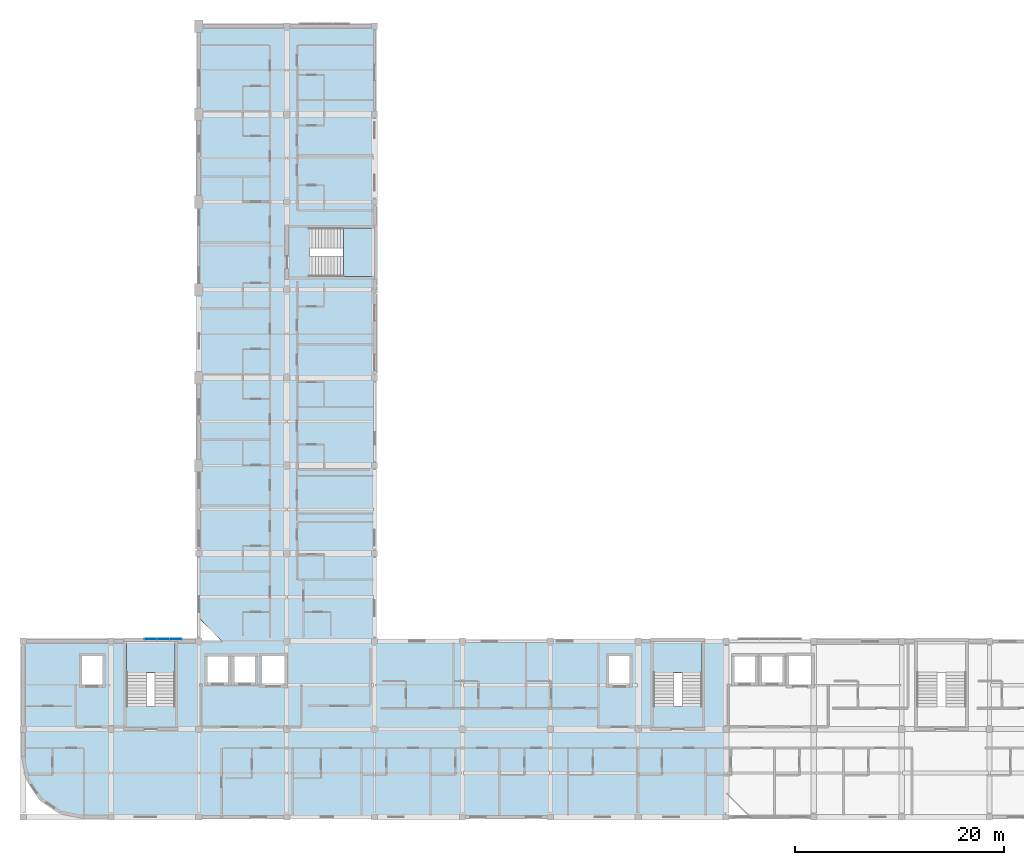
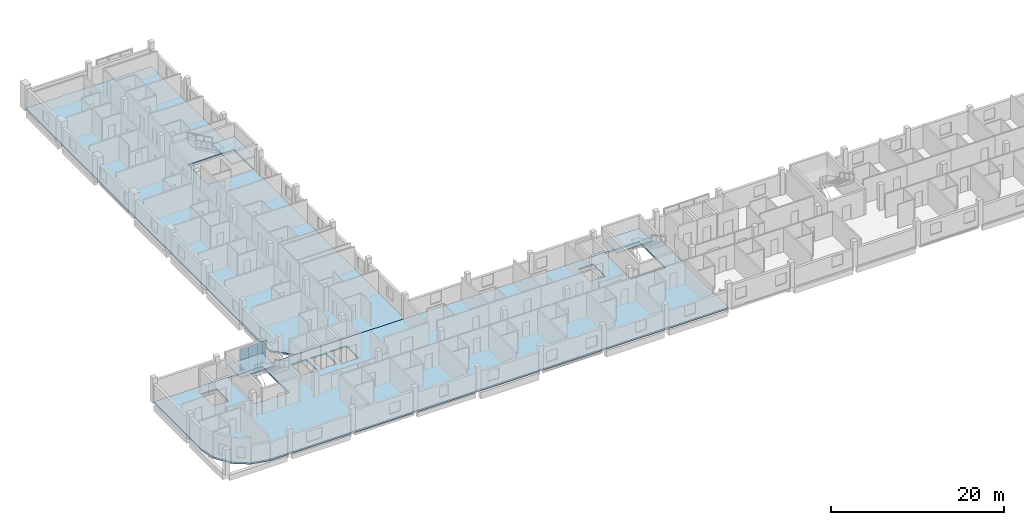
# One storey, part 8 of 25: 6 plates, 5 slabs, 4 elements without a shape of their own.
"""IFC4 building model written with IfcOpenShell, lengths in metres."""

from ifc_helpers import new_model, si_unit, derived_unit, direction, frame, origin, origin_2d, place, context, subcontext, project, spatial, polyline, rectangle, outline, extrude, material, layer, layer_set, type_object, element, aggregate, save


model = new_model("IFC4")

# Units and contexts
model_context = context("Model", 3, precision=1e-05, world=origin(), true_north=direction((0.0, 1.0)))
body_context = subcontext(model_context, "Body", "Model", "MODEL_VIEW")
ifc_project = project(units=[si_unit("LENGTHUNIT", "METRE"), si_unit("AREAUNIT", "SQUARE_METRE"), si_unit("VOLUMEUNIT", "CUBIC_METRE"), si_unit("PLANEANGLEUNIT", "RADIAN"), si_unit("MASSUNIT", "GRAM", prefix="KILO"), derived_unit("THERMALTRANSMITTANCEUNIT", [(si_unit("POWERUNIT", "WATT"), 1), (si_unit("LENGTHUNIT", "METRE"), -2), (si_unit("THERMODYNAMICTEMPERATUREUNIT", "KELVIN"), -1)])], contexts=[model_context])

# Site, building, storey
site_placement = place(None, origin())
site = spatial("IfcSite", under=ifc_project, at=site_placement, CompositionType="ELEMENT")
building_placement = place(site_placement, origin())
building = spatial("IfcBuilding", under=site, at=building_placement, Name="Barrovel Congress Hotel", CompositionType="ELEMENT")
storey_placement = place(building_placement, frame((0.0, 0.0, 25.5)))
storey = spatial("IfcBuildingStorey", under=building, at=storey_placement, Name="L06", CompositionType="ELEMENT", Elevation=25.5)

# Curtain wall, plates
ifc_material_1 = material(Name="Anodised Aluminium Alloy 6063-T6", Category="aluminium")
curtain_wall_type = type_object("IfcCurtainWallType", Name="CW-UN-3600x3200", PredefinedType="USERDEFINED", material=ifc_material_1)
curtain_wall_placement = place(storey_placement, origin())
curtain_wall = element("IfcCurtainWall", 1, at=curtain_wall_placement, inside=storey, type_object=curtain_wall_type, Name="CW:L06:UN-3", ObjectType="UNITISED CURTAIN WALL", PredefinedType="USERDEFINED")
ifc_material_2 = material(Name="Double Low-E Insulated Glazing", Category="glass")
ifc_layer_1 = layer(ifc_material_2, 0.031982421875)
ifc_layer_set_1 = layer_set([ifc_layer_1], Name="Double Low-E Insulated Glazing")
plate_type = type_object("IfcPlateType", Name="CWP-32", PredefinedType="CURTAIN_PANEL", material=ifc_layer_set_1)
plate_1_placement = place(storey_placement, frame((29.0, 21.219970703125, 0.030029296875), z_axis=(0.0, 0.0, 1.0), x_axis=(1.0, 0.0, 0.0)))
plate_1 = element("IfcPlate", 2, at=plate_1_placement, type_object=plate_type, Name="CW:L06:UN-3:P0-0", PredefinedType="CURTAIN_PANEL", context=body_context, shape_type="SweptSolid", body=[
    extrude(rectangle(XDim=1.139892578125, YDim=0.031982421875, at=origin_2d()), origin(), (0.0, 0.0, 1.0), 1.56494140625),
])
plate_2_placement = place(storey_placement, frame((29.0, 21.219970703125, 1.655029296875), z_axis=(0.0, 0.0, 1.0), x_axis=(1.0, 0.0, 0.0)))
plate_2 = element("IfcPlate", 3, at=plate_2_placement, type_object=plate_type, Name="CW:L06:UN-3:P0-1", PredefinedType="CURTAIN_PANEL", context=body_context, shape_type="SweptSolid", body=[
    extrude(rectangle(XDim=1.139892578125, YDim=0.031982421875, at=origin_2d()), origin(), (0.0, 0.0, 1.0), 1.56494140625),
])
plate_3_placement = place(storey_placement, frame((30.199951171875, 21.219970703125, 0.030029296875), z_axis=(0.0, 0.0, 1.0), x_axis=(1.0, 0.0, 0.0)))
plate_3 = element("IfcPlate", 4, at=plate_3_placement, type_object=plate_type, Name="CW:L06:UN-3:P1-0", PredefinedType="CURTAIN_PANEL", context=body_context, shape_type="SweptSolid", body=[
    extrude(rectangle(XDim=1.139892578125, YDim=0.031982421875, at=origin_2d()), origin(), (0.0, 0.0, 1.0), 1.56494140625),
])
plate_4_placement = place(storey_placement, frame((30.199951171875, 21.219970703125, 1.655029296875), z_axis=(0.0, 0.0, 1.0), x_axis=(1.0, 0.0, 0.0)))
plate_4 = element("IfcPlate", 5, at=plate_4_placement, type_object=plate_type, Name="CW:L06:UN-3:P1-1", PredefinedType="CURTAIN_PANEL", context=body_context, shape_type="SweptSolid", body=[
    extrude(rectangle(XDim=1.139892578125, YDim=0.031982421875, at=origin_2d()), origin(), (0.0, 0.0, 1.0), 1.56494140625),
])
plate_5_placement = place(storey_placement, frame((31.39990234375, 21.219970703125, 0.030029296875), z_axis=(0.0, 0.0, 1.0), x_axis=(1.0, 0.0, 0.0)))
plate_5 = element("IfcPlate", 6, at=plate_5_placement, type_object=plate_type, Name="CW:L06:UN-3:P2-0", PredefinedType="CURTAIN_PANEL", context=body_context, shape_type="SweptSolid", body=[
    extrude(rectangle(XDim=1.139892578125, YDim=0.031982421875, at=origin_2d()), origin(), (0.0, 0.0, 1.0), 1.56494140625),
])
plate_6_placement = place(storey_placement, frame((31.39990234375, 21.219970703125, 1.655029296875), z_axis=(0.0, 0.0, 1.0), x_axis=(1.0, 0.0, 0.0)))
plate_6 = element("IfcPlate", 7, at=plate_6_placement, type_object=plate_type, Name="CW:L06:UN-3:P2-1", PredefinedType="CURTAIN_PANEL", context=body_context, shape_type="SweptSolid", body=[
    extrude(rectangle(XDim=1.139892578125, YDim=0.031982421875, at=origin_2d()), origin(), (0.0, 0.0, 1.0), 1.56494140625),
])
aggregate(curtain_wall, [plate_1, plate_2, plate_3, plate_4, plate_5, plate_6])

# Slabs
ifc_material_3 = material(Name="Concrete C35", Category="concrete")
ifc_layer_2 = layer(ifc_material_3, 0.219970703125)
ifc_layer_set_2 = layer_set([ifc_layer_2], Name="Concrete C35")
slab_type_1 = type_object("IfcSlabType", Name="SL-F220", PredefinedType="FLOOR", material=ifc_layer_set_2)
slab_1_placement = place(storey_placement, frame((0.0, 0.0, -0.219970703125)))
element("IfcSlab", 8, at=slab_1_placement, inside=storey, type_object=slab_type_1, Name="SLAB:L06:HOT-S1", PredefinedType="FLOOR", context=body_context, shape_type="SweptSolid", body=[
    extrude(outline(polyline([(16.800048828125, 10.0), (17.241455078125, 7.780517578125), (18.498779296875, 5.898681640625), (20.38037109375, 4.6416015625), (22.60009765625, 4.199951171875), (84.0, 4.199951171875), (84.0, 21.0), (16.800048828125, 21.0), (16.800048828125, 10.0)]), holes=[polyline([(26.699951171875, 14.780029296875), (26.699951171875, 20.919921875), (31.300048828125, 20.919921875), (31.300048828125, 14.780029296875), (26.699951171875, 14.780029296875)]), polyline([(77.10009765625, 14.780029296875), (77.10009765625, 20.919921875), (81.699951171875, 20.919921875), (81.699951171875, 14.780029296875), (77.10009765625, 14.780029296875)]), polyline([(22.39990234375, 16.800048828125), (22.39990234375, 19.60009765625), (24.39990234375, 19.60009765625), (24.39990234375, 16.800048828125), (22.39990234375, 16.800048828125)]), polyline([(72.800048828125, 16.800048828125), (72.800048828125, 19.60009765625), (74.800048828125, 19.60009765625), (74.800048828125, 16.800048828125), (72.800048828125, 16.800048828125)]), polyline([(34.39990234375, 17.050048828125), (34.39990234375, 19.550048828125), (36.39990234375, 19.550048828125), (36.39990234375, 17.050048828125), (34.39990234375, 17.050048828125)]), polyline([(37.0, 17.050048828125), (37.0, 19.550048828125), (39.0, 19.550048828125), (39.0, 17.050048828125), (37.0, 17.050048828125)]), polyline([(39.60009765625, 16.800048828125), (39.60009765625, 19.60009765625), (41.800048828125, 19.60009765625), (41.800048828125, 16.800048828125), (39.60009765625, 16.800048828125)])]), origin(), (0.0, 0.0, 1.0), 0.219970703125),
])
slab_2_placement = place(storey_placement, frame((0.0, 0.0, -0.219970703125)))
element("IfcSlab", 9, at=slab_2_placement, inside=storey, type_object=slab_type_1, Name="SLAB:L06:HOT-W1", PredefinedType="FLOOR", context=body_context, shape_type="SweptSolid", body=[
    extrude(outline(polyline([(35.800048828125, 21.0), (50.39990234375, 21.0), (50.39990234375, 79.800048828125), (33.60009765625, 79.800048828125), (33.60009765625, 23.199951171875), (35.800048828125, 21.0)]), holes=[polyline([(44.179931640625, 55.89990234375), (44.179931640625, 60.5), (50.320068359375, 60.5), (50.320068359375, 55.89990234375), (44.179931640625, 55.89990234375)])]), origin(), (0.0, 0.0, 1.0), 0.219970703125),
])

# Stair, slab
ifc_material_4 = material(Name="Concrete C40", Category="concrete")
stair_type_1 = type_object("IfcStairType", Name="STR-HT-360", PredefinedType="HALF_TURN_STAIR", material=ifc_material_4)
stair_1_placement = place(storey_placement, origin())
stair_1 = element("IfcStair", 10, at=stair_1_placement, inside=storey, type_object=stair_type_1, Name="Exit Stair XS-01 (L06)", PredefinedType="HALF_TURN_STAIR")
ifc_layer_3 = layer(ifc_material_4, 0.18994140625)
ifc_layer_set_3 = layer_set([ifc_layer_3], Name="Concrete C40")
slab_type_2 = type_object("IfcSlabType", Name="SL-LDG-190", PredefinedType="LANDING", material=ifc_layer_set_3)
slab_3_placement = place(storey_placement, frame((0.0, 0.0, 1.610107421875)))
slab_3 = element("IfcSlab", 11, at=slab_3_placement, type_object=slab_type_2, Name="STAIR:XS-01:L06:LDG", PredefinedType="LANDING", context=body_context, shape_type="SweptSolid", body=[
    extrude(outline(polyline([(26.679931640625, 18.010009765625), (31.320068359375, 18.010009765625), (31.320068359375, 21.02001953125), (26.679931640625, 21.02001953125), (26.679931640625, 18.010009765625)])), origin(), (0.0, 0.0, 1.0), 0.18994140625),
])
aggregate(stair_1, [slab_3])

stair_2_placement = place(storey_placement, origin())
stair_2 = element("IfcStair", 12, at=stair_2_placement, inside=storey, type_object=stair_type_1, Name="Exit Stair XS-02 (L06)", PredefinedType="HALF_TURN_STAIR")
ifc_layer_4 = layer(ifc_material_4, 0.2099609375)
ifc_layer_set_4 = layer_set([ifc_layer_4], Name="Concrete C40")
slab_type_3 = type_object("IfcSlabType", Name="SL-LDG-210", PredefinedType="LANDING", material=ifc_layer_set_4)
slab_4_placement = place(storey_placement, frame((0.0, 0.0, 1.590087890625)))
slab_4 = element("IfcSlab", 13, at=slab_4_placement, type_object=slab_type_3, Name="STAIR:XS-02:L06:LDG", PredefinedType="LANDING", context=body_context, shape_type="SweptSolid", body=[
    extrude(outline(polyline([(77.080078125, 18.010009765625), (81.719970703125, 18.010009765625), (81.719970703125, 21.02001953125), (77.080078125, 21.02001953125), (77.080078125, 18.010009765625)])), origin(), (0.0, 0.0, 1.0), 0.2099609375),
])
aggregate(stair_2, [slab_4])

stair_type_2 = type_object("IfcStairType", Name="STR-DR-360", PredefinedType="DOUBLE_RETURN_STAIR", material=ifc_material_4)
stair_3_placement = place(storey_placement, origin())
stair_3 = element("IfcStair", 14, at=stair_3_placement, inside=storey, type_object=stair_type_2, Name="Exit Stair XS-05 (L06)", PredefinedType="DOUBLE_RETURN_STAIR")
slab_5_placement = place(storey_placement, frame((0.0, 0.0, 1.590087890625)))
slab_5 = element("IfcSlab", 15, at=slab_5_placement, type_object=slab_type_3, Name="STAIR:XS-05:L06:LDG", PredefinedType="LANDING", context=body_context, shape_type="SweptSolid", body=[
    extrude(outline(polyline([(47.409912109375, 55.8798828125), (50.419921875, 55.8798828125), (50.419921875, 60.52001953125), (47.409912109375, 60.52001953125), (47.409912109375, 55.8798828125)])), origin(), (0.0, 0.0, 1.0), 0.2099609375),
])
aggregate(stair_3, [slab_5])

save(model, "model.ifc")
